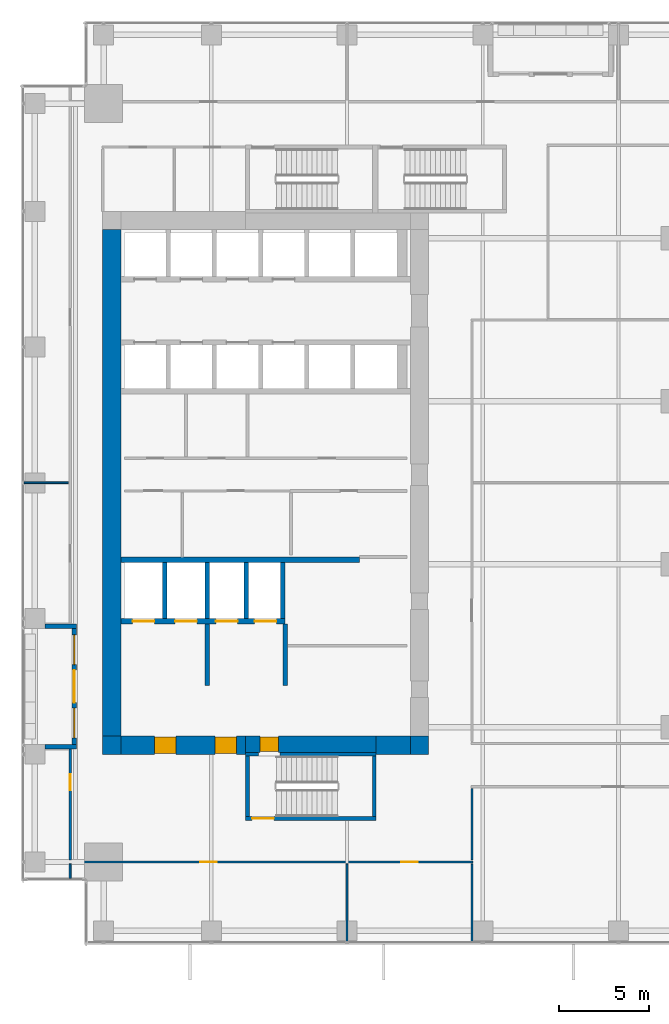
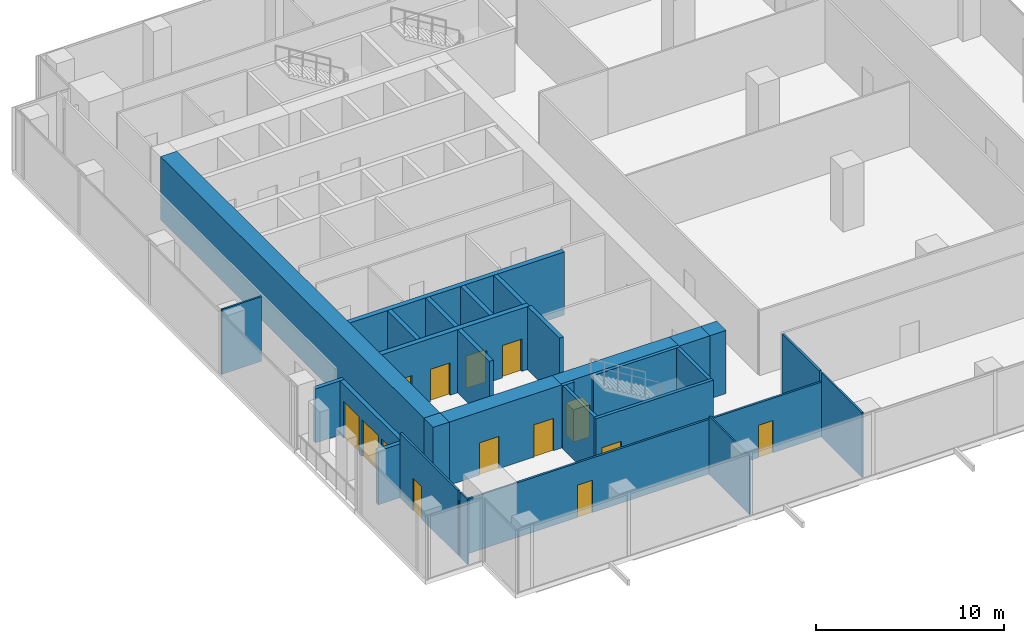
# One storey, part 28 of 34: 29 walls, 12 doors, 2 windows, 14 openings.
"""IFC4 building model written with IfcOpenShell, lengths in metres."""

from ifc_helpers import new_model, si_unit, direction, frame, frame_2d, origin, place, context, subcontext, project, spatial, rectangle, extrude, source, transform, mapped, material, layer, layer_set, type_object, element, fill, save


model = new_model("IFC4")

# Units and contexts
model_context = context("Model", 3, precision=1e-05, world=origin(), true_north=direction((0.0, 1.0)))
body_context = subcontext(model_context, "Body", "Model", "MODEL_VIEW")
ifc_project = project(units=[si_unit("LENGTHUNIT", "METRE"), si_unit("AREAUNIT", "SQUARE_METRE"), si_unit("VOLUMEUNIT", "CUBIC_METRE"), si_unit("PLANEANGLEUNIT", "RADIAN"), si_unit("MASSUNIT", "GRAM", prefix="KILO")], contexts=[model_context])

# Site, building, storey
site_placement = place(None, origin())
site = spatial("IfcSite", under=ifc_project, at=site_placement, CompositionType="ELEMENT")
building_placement = place(site_placement, origin())
building = spatial("IfcBuilding", under=site, at=building_placement, Name="Khomas Fold Tower", CompositionType="ELEMENT")
storey_placement = place(building_placement, frame((0.0, 0.0, 123.5)))
storey = spatial("IfcBuildingStorey", under=building, at=storey_placement, Name="L26", CompositionType="ELEMENT", Elevation=123.5)

# Wall, openings, doors
ifc_material_1 = material(Name="Concrete C70/85", Category="concrete")
ifc_layer_1 = layer(ifc_material_1, 1.0)
ifc_layer_set_1 = layer_set([ifc_layer_1], Name="Concrete C70/85")
wall_type_1 = type_object("IfcWallType", Name="Core wall 1000", PredefinedType="SHEAR", material=ifc_layer_set_1)
shared_shape_1 = source(origin(), body_context, "Body", "SweptSolid", [
    extrude(rectangle(XDim=6.89990234375, YDim=1.0, at=frame_2d((3.449951171875, 0.0))), origin(), (0.0, 0.0, 1.0), 4.10009765625),
])
wall_1_placement = place(storey_placement, frame((7.0, 12.5, 0.0), z_axis=(0.0, 0.0, 1.0), x_axis=(1.0, 0.0, 0.0)))
wall_1 = element("IfcWall", 1, at=wall_1_placement, inside=storey, type_object=wall_type_1, Name="Core wall CW-L-S-L21", PredefinedType="SHEAR", context=body_context, shape_type="MappedRepresentation", body=[
    mapped(shared_shape_1, transform((0.0, 0.0, 0.0))),
])
shared_shape_2 = source(origin(), body_context, "Body", "SweptSolid", [
    extrude(rectangle(XDim=1.199951171875, YDim=2.10009765625, at=frame_2d((0.60009765625, 1.050048828125))), frame((0.0, 0.510009765625, 0.0), z_axis=(0.0, -1.0, 0.0), x_axis=(1.0, 0.0, 0.0)), (0.0, 0.0, 1.0), 1.02001953125),
])
opening_1_placement = place(wall_1_placement, frame((5.199951171875, 0.0, 0.0)))
opening_1 = element("IfcOpeningElement", 2, at=opening_1_placement, cuts=wall_1, Name="Opening 0009", PredefinedType="OPENING", context=body_context, shape_type="MappedRepresentation", body=[
    mapped(shared_shape_2, transform((0.0, 0.0, 0.0))),
])
opening_2_placement = place(wall_1_placement, frame((1.85009765625, 0.0, 0.0)))
opening_2 = element("IfcOpeningElement", 3, at=opening_2_placement, cuts=wall_1, Name="Opening 0009", PredefinedType="OPENING", context=body_context, shape_type="MappedRepresentation", body=[
    mapped(shared_shape_2, transform((0.0, 0.0, 0.0))),
])
ifc_material_2 = material(Name="Steel door leaf", Category="steel")
door_type_1 = type_object("IfcDoorType", Name="Lobby door 1200x2100 right-hand", OperationType="SINGLE_SWING_RIGHT", PredefinedType="DOOR", material=ifc_material_2)
shared_shape_3 = source(origin(), body_context, "Body", "SweptSolid", [
    extrude(rectangle(XDim=1.199951171875, YDim=2.10009765625, at=frame_2d((0.60009765625, 1.050048828125))), frame((0.0, 0.449951171875, 0.0), z_axis=(0.0, -1.0, 0.0), x_axis=(1.0, 0.0, 0.0)), (0.0, 0.0, 1.0), 0.89990234375),
])
door_1_placement = place(opening_1_placement, origin())
door_1 = element("IfcDoor", 4, at=door_1_placement, inside=storey, type_object=door_type_1, Name="Lobby door", OperationType="SINGLE_SWING_RIGHT", OverallHeight=2.10009765625, OverallWidth=1.199951171875, PredefinedType="DOOR", context=body_context, shape_type="MappedRepresentation", body=[
    mapped(shared_shape_3, transform((0.0, 0.0, 0.0))),
])
fill(opening_1, door_1)
door_2_placement = place(opening_2_placement, origin())
door_2 = element("IfcDoor", 5, at=door_2_placement, inside=storey, type_object=door_type_1, Name="Lobby door", OperationType="SINGLE_SWING_RIGHT", OverallHeight=2.10009765625, OverallWidth=1.199951171875, PredefinedType="DOOR", context=body_context, shape_type="MappedRepresentation", body=[
    mapped(shared_shape_3, transform((0.0, 0.0, 0.0))),
])
fill(opening_2, door_2)

# Walls
ifc_material_3 = material(Name="Concrete C70/85", Category="concrete")
ifc_layer_2 = layer(ifc_material_3, 1.0)
ifc_layer_set_2 = layer_set([ifc_layer_2], Name="Concrete C70/85")
wall_type_2 = type_object("IfcWallType", Name="Core corner wall 1000", PredefinedType="SHEAR", material=ifc_layer_set_2)
shared_shape_4 = source(origin(), body_context, "Body", "SweptSolid", [
    extrude(rectangle(XDim=1.0, YDim=1.0, at=frame_2d((0.5, 0.0))), origin(), (0.0, 0.0, 1.0), 4.10009765625),
])
for number, where, z_axis, x_axis, name in (
    (6, (23.0, 12.5, 0.0), (0.0, 0.0, 1.0), (1.0, 0.0, 0.0), "Core wall CW-L-SE-L21"),
    (7, (6.0, 12.5, 0.0), (0.0, 0.0, 1.0), (1.0, 0.0, 0.0), "Core wall CW-L-SW-L21"),
):
    element("IfcWall", number, at=place(storey_placement, frame(where, z_axis=z_axis, x_axis=x_axis)), inside=storey, type_object=wall_type_2, Name=name, PredefinedType="SHEAR", context=body_context, shape_type="MappedRepresentation", body=[
        mapped(shared_shape_4, transform((0.0, 0.0, 0.0))),
    ])

# Wall, opening, door
ifc_material_4 = material(Name="Concrete C70/85", Category="concrete")
ifc_layer_3 = layer(ifc_material_4, 0.89990234375)
ifc_layer_set_3 = layer_set([ifc_layer_3], Name="Concrete C70/85")
wall_type_3 = type_object("IfcWallType", Name="Core wall 900", PredefinedType="SHEAR", material=ifc_layer_set_3)
shared_shape_5 = source(origin(), body_context, "Body", "SweptSolid", [
    extrude(rectangle(XDim=7.2001953125, YDim=0.89990234375, at=frame_2d((3.60009765625, 0.0))), origin(), (0.0, 0.0, 1.0), 4.10009765625),
])
wall_2_placement = place(storey_placement, frame((13.89990234375, 12.550048828125, 0.0), z_axis=(0.0, 0.0, 1.0), x_axis=(1.0, 0.0, 0.0)))
wall_2 = element("IfcWall", 8, at=wall_2_placement, inside=storey, type_object=wall_type_3, Name="Core wall CW-L-S-L21-1", PredefinedType="SHEAR", context=body_context, shape_type="MappedRepresentation", body=[
    mapped(shared_shape_5, transform((0.0, 0.0, 0.0))),
])
shared_shape_6 = source(origin(), body_context, "Body", "SweptSolid", [
    extrude(rectangle(XDim=1.0, YDim=2.10009765625, at=frame_2d((0.5, 1.050048828125))), frame((0.0, 0.4599609375, 0.0), z_axis=(0.0, -1.0, 0.0), x_axis=(1.0, 0.0, 0.0)), (0.0, 0.0, 1.0), 0.919921875),
])
opening_3_placement = place(wall_2_placement, frame((0.800048828125, 0.0, 0.0)))
opening_3 = element("IfcOpeningElement", 9, at=opening_3_placement, cuts=wall_2, Name="Opening 0010", PredefinedType="OPENING", context=body_context, shape_type="MappedRepresentation", body=[
    mapped(shared_shape_6, transform((0.0, 0.0, 0.0))),
])
ifc_material_5 = material(Name="Steel door leaf", Category="steel")
door_type_2 = type_object("IfcDoorType", Name="Stair door 1000x2100 right-hand", OperationType="SINGLE_SWING_RIGHT", PredefinedType="DOOR", material=ifc_material_5)
shared_shape_7 = source(origin(), body_context, "Body", "SweptSolid", [
    extrude(rectangle(XDim=1.0, YDim=2.10009765625, at=frame_2d((0.5, 1.050048828125))), frame((0.0, 0.39990234375, 0.0), z_axis=(0.0, -1.0, 0.0), x_axis=(1.0, 0.0, 0.0)), (0.0, 0.0, 1.0), 0.7998046875),
])
door_3_placement = place(opening_3_placement, origin())
door_3 = element("IfcDoor", 10, at=door_3_placement, inside=storey, type_object=door_type_2, Name="Stair door", OperationType="SINGLE_SWING_RIGHT", OverallHeight=2.10009765625, OverallWidth=1.0, PredefinedType="DOOR", context=body_context, shape_type="MappedRepresentation", body=[
    mapped(shared_shape_7, transform((0.0, 0.0, 0.0))),
])
fill(opening_3, door_3)

# Walls
shared_shape_8 = source(origin(), body_context, "Body", "SweptSolid", [
    extrude(rectangle(XDim=1.89990234375, YDim=1.0, at=frame_2d((0.949951171875, 0.0))), origin(), (0.0, 0.0, 1.0), 4.10009765625),
])
wall_3_placement = place(storey_placement, frame((21.10009765625, 12.5, 0.0), z_axis=(0.0, 0.0, 1.0), x_axis=(1.0, 0.0, 0.0)))
element("IfcWall", 11, at=wall_3_placement, inside=storey, type_object=wall_type_1, Name="Core wall CW-L-S-L21-2", PredefinedType="SHEAR", context=body_context, shape_type="MappedRepresentation", body=[
    mapped(shared_shape_8, transform((0.0, 0.0, 0.0))),
])
shared_shape_9 = source(origin(), body_context, "Body", "SweptSolid", [
    extrude(rectangle(XDim=28.0, YDim=1.0, at=frame_2d((14.0, 0.0))), origin(), (0.0, 0.0, 1.0), 4.10009765625),
])
wall_4_placement = place(storey_placement, frame((6.5, 13.0, 0.0), z_axis=(0.0, 0.0, 1.0), x_axis=(0.0, 1.0, 0.0)))
element("IfcWall", 12, at=wall_4_placement, inside=storey, type_object=wall_type_1, Name="Core wall CW-L-W-L21", PredefinedType="SHEAR", context=body_context, shape_type="MappedRepresentation", body=[
    mapped(shared_shape_9, transform((0.0, 0.0, 0.0))),
])
ifc_material_6 = material(Name="Concrete C50/60", Category="concrete")
ifc_layer_4 = layer(ifc_material_6, 0.199951171875)
ifc_layer_set_4 = layer_set([ifc_layer_4], Name="Concrete C50/60")
wall_type_4 = type_object("IfcWallType", Name="Stair wall 200", PredefinedType="SHEAR", material=ifc_layer_set_4)
shared_shape_10 = source(origin(), body_context, "Body", "SweptSolid", [
    extrude(rectangle(XDim=0.7001953125, YDim=0.199951171875, at=frame_2d((0.35009765625, 0.0))), origin(), (0.0, 0.0, 1.0), 4.10009765625),
])
wall_5_placement = place(storey_placement, frame((13.89990234375, 12.0, 0.0), z_axis=(0.0, 0.0, 1.0), x_axis=(1.0, 0.0, 0.0)))
element("IfcWall", 13, at=wall_5_placement, inside=storey, type_object=wall_type_4, Name="Stair wall SW-ST2-N", PredefinedType="SHEAR", context=body_context, shape_type="MappedRepresentation", body=[
    mapped(shared_shape_10, transform((0.0, 0.0, 0.0))),
])
shared_shape_11 = source(origin(), body_context, "Body", "SweptSolid", [
    extrude(rectangle(XDim=5.300048828125, YDim=0.199951171875, at=frame_2d((2.64990234375, 0.0))), origin(), (0.0, 0.0, 1.0), 4.10009765625),
])
wall_6_placement = place(storey_placement, frame((15.800048828125, 12.0, 0.0), z_axis=(0.0, 0.0, 1.0), x_axis=(1.0, 0.0, 0.0)))
element("IfcWall", 14, at=wall_6_placement, inside=storey, type_object=wall_type_4, Name="Stair wall SW-ST2-NB", PredefinedType="SHEAR", context=body_context, shape_type="MappedRepresentation", body=[
    mapped(shared_shape_11, transform((0.0, 0.0, 0.0))),
])

# Wall, opening, door
shared_shape_12 = source(origin(), body_context, "Body", "SweptSolid", [
    extrude(rectangle(XDim=7.2001953125, YDim=0.199951171875, at=frame_2d((3.60009765625, 0.0))), origin(), (0.0, 0.0, 1.0), 4.10009765625),
])
wall_7_placement = place(storey_placement, frame((13.89990234375, 8.449951171875, 0.0), z_axis=(0.0, 0.0, 1.0), x_axis=(1.0, 0.0, 0.0)))
wall_7 = element("IfcWall", 15, at=wall_7_placement, inside=storey, type_object=wall_type_4, Name="Stair wall SW-ST2-S", PredefinedType="SHEAR", context=body_context, shape_type="MappedRepresentation", body=[
    mapped(shared_shape_12, transform((0.0, 0.0, 0.0))),
])
shared_shape_13 = source(origin(), body_context, "Body", "SweptSolid", [
    extrude(rectangle(XDim=1.199951171875, YDim=2.10009765625, at=frame_2d((0.60009765625, 1.050048828125))), frame((0.0, 0.10986328125, 0.0), z_axis=(0.0, -1.0, 0.0), x_axis=(1.0, 0.0, 0.0)), (0.0, 0.0, 1.0), 0.219970703125),
])
opening_4_placement = place(wall_7_placement, frame((0.35009765625, 0.0, 0.0)))
opening_4 = element("IfcOpeningElement", 16, at=opening_4_placement, cuts=wall_7, Name="Opening SD-ST2", PredefinedType="OPENING", context=body_context, shape_type="MappedRepresentation", body=[
    mapped(shared_shape_13, transform((0.0, 0.0, 0.0))),
])
ifc_material_7 = material(Name="Steel door leaf", Category="steel")
door_type_3 = type_object("IfcDoorType", Name="Stair door 1200x2100 right-hand", OperationType="SINGLE_SWING_RIGHT", PredefinedType="DOOR", material=ifc_material_7)
shared_shape_14 = source(origin(), body_context, "Body", "SweptSolid", [
    extrude(rectangle(XDim=1.199951171875, YDim=2.10009765625, at=frame_2d((0.60009765625, 1.050048828125))), frame((0.0, 0.02490234375, 0.0), z_axis=(0.0, -1.0, 0.0), x_axis=(1.0, 0.0, 0.0)), (0.0, 0.0, 1.0), 0.050048828125),
])
door_4_placement = place(opening_4_placement, origin())
door_4 = element("IfcDoor", 17, at=door_4_placement, inside=storey, type_object=door_type_3, Name="Stair door", OperationType="SINGLE_SWING_RIGHT", OverallHeight=2.10009765625, OverallWidth=1.199951171875, PredefinedType="DOOR", context=body_context, shape_type="MappedRepresentation", body=[
    mapped(shared_shape_14, transform((0.0, 0.0, 0.0))),
])
fill(opening_4, door_4)

# Walls
shared_shape_15 = source(origin(), body_context, "Body", "SweptSolid", [
    extrude(rectangle(XDim=3.349853515625, YDim=0.199951171875, at=frame_2d((1.6748046875, 0.0))), origin(), (0.0, 0.0, 1.0), 4.10009765625),
])
for number, where, z_axis, x_axis, name in (
    (18, (21.0, 8.550048828125, 0.0), (0.0, 0.0, 1.0), (0.0, 1.0, 0.0), "Stair wall SW-ST2-E"),
    (19, (14.0, 8.550048828125, 0.0), (0.0, 0.0, 1.0), (0.0, 1.0, 0.0), "Stair wall SW-ST2-W"),
):
    element("IfcWall", number, at=place(storey_placement, frame(where, z_axis=z_axis, x_axis=x_axis)), inside=storey, type_object=wall_type_4, Name=name, PredefinedType="SHEAR", context=body_context, shape_type="MappedRepresentation", body=[
        mapped(shared_shape_15, transform((0.0, 0.0, 0.0))),
    ])
ifc_material_8 = material(Name="Concrete C50/60", Category="concrete")
ifc_layer_5 = layer(ifc_material_8, 0.300048828125)
ifc_layer_set_5 = layer_set([ifc_layer_5], Name="Concrete C50/60")
wall_type_5 = type_object("IfcWallType", Name="Shaft wall 300", PredefinedType="STANDARD", material=ifc_layer_set_5)
shared_shape_16 = source(origin(), body_context, "Body", "SweptSolid", [
    extrude(rectangle(XDim=13.199951171875, YDim=0.300048828125, at=frame_2d((6.60009765625, 0.0))), origin(), (0.0, 0.0, 1.0), 4.10009765625),
])
wall_8_placement = place(storey_placement, frame((7.0, 22.75, 0.0), z_axis=(0.0, 0.0, 1.0), x_axis=(1.0, 0.0, 0.0)))
element("IfcWall", 20, at=wall_8_placement, inside=storey, type_object=wall_type_5, Name="Core wall SW-FS-B", PredefinedType="STANDARD", context=body_context, shape_type="MappedRepresentation", body=[
    mapped(shared_shape_16, transform((0.0, 0.0, 0.0))),
])

# Wall, openings, doors
shared_shape_17 = source(origin(), body_context, "Body", "SweptSolid", [
    extrude(rectangle(XDim=9.074951171875, YDim=0.300048828125, at=frame_2d((4.53759765625, 0.0))), origin(), (0.0, 0.0, 1.0), 4.10009765625),
])
wall_9_placement = place(storey_placement, frame((7.0, 19.35009765625, 0.0), z_axis=(0.0, 0.0, 1.0), x_axis=(1.0, 0.0, 0.0)))
wall_9 = element("IfcWall", 21, at=wall_9_placement, inside=storey, type_object=wall_type_5, Name="Core wall SW-FS-F", PredefinedType="STANDARD", context=body_context, shape_type="MappedRepresentation", body=[
    mapped(shared_shape_17, transform((0.0, 0.0, 0.0))),
])
shared_shape_18 = source(origin(), body_context, "Body", "SweptSolid", [
    extrude(rectangle(XDim=1.199951171875, YDim=2.10009765625, at=frame_2d((0.60009765625, 1.050048828125))), frame((0.0, 0.159912109375, 0.0), z_axis=(0.0, -1.0, 0.0), x_axis=(1.0, 0.0, 0.0)), (0.0, 0.0, 1.0), 0.320068359375),
])
opening_5_placement = place(wall_9_placement, frame((0.64990234375, 0.0, 0.0)))
opening_5 = element("IfcOpeningElement", 22, at=opening_5_placement, cuts=wall_9, Name="Opening LD-SV1", PredefinedType="OPENING", context=body_context, shape_type="MappedRepresentation", body=[
    mapped(shared_shape_18, transform((0.0, 0.0, 0.0))),
])
opening_6_placement = place(wall_9_placement, frame((3.0, 0.0, 0.0)))
opening_6 = element("IfcOpeningElement", 23, at=opening_6_placement, cuts=wall_9, Name="Opening LD-SV2", PredefinedType="OPENING", context=body_context, shape_type="MappedRepresentation", body=[
    mapped(shared_shape_18, transform((0.0, 0.0, 0.0))),
])
opening_7_placement = place(wall_9_placement, frame((5.25, 0.0, 0.0)))
opening_7 = element("IfcOpeningElement", 24, at=opening_7_placement, cuts=wall_9, Name="Opening LD-FF1", PredefinedType="OPENING", context=body_context, shape_type="MappedRepresentation", body=[
    mapped(shared_shape_18, transform((0.0, 0.0, 0.0))),
])
opening_8_placement = place(wall_9_placement, frame((7.39990234375, 0.0, 0.0)))
opening_8 = element("IfcOpeningElement", 25, at=opening_8_placement, cuts=wall_9, Name="Opening LD-FF2", PredefinedType="OPENING", context=body_context, shape_type="MappedRepresentation", body=[
    mapped(shared_shape_18, transform((0.0, 0.0, 0.0))),
])
ifc_material_9 = material(Name="Steel door leaf", Category="steel")
door_type_4 = type_object("IfcDoorType", Name="Landing door 1200x2100", OperationType="DOUBLE_DOOR_SLIDING", PredefinedType="DOOR", material=ifc_material_9)
door_5_placement = place(opening_5_placement, origin())
door_5 = element("IfcDoor", 26, at=door_5_placement, inside=storey, type_object=door_type_4, Name="Lift landing door", OperationType="DOUBLE_DOOR_SLIDING", OverallHeight=2.10009765625, OverallWidth=1.199951171875, PredefinedType="DOOR", context=body_context, shape_type="MappedRepresentation", body=[
    mapped(shared_shape_14, transform((0.0, 0.0, 0.0))),
])
fill(opening_5, door_5)
door_6_placement = place(opening_6_placement, origin())
door_6 = element("IfcDoor", 27, at=door_6_placement, inside=storey, type_object=door_type_4, Name="Lift landing door", OperationType="DOUBLE_DOOR_SLIDING", OverallHeight=2.10009765625, OverallWidth=1.199951171875, PredefinedType="DOOR", context=body_context, shape_type="MappedRepresentation", body=[
    mapped(shared_shape_14, transform((0.0, 0.0, 0.0))),
])
fill(opening_6, door_6)
door_7_placement = place(opening_7_placement, origin())
door_7 = element("IfcDoor", 28, at=door_7_placement, inside=storey, type_object=door_type_4, Name="Lift landing door", OperationType="DOUBLE_DOOR_SLIDING", OverallHeight=2.10009765625, OverallWidth=1.199951171875, PredefinedType="DOOR", context=body_context, shape_type="MappedRepresentation", body=[
    mapped(shared_shape_14, transform((0.0, 0.0, 0.0))),
])
fill(opening_7, door_7)
door_8_placement = place(opening_8_placement, origin())
door_8 = element("IfcDoor", 29, at=door_8_placement, inside=storey, type_object=door_type_4, Name="Lift landing door", OperationType="DOUBLE_DOOR_SLIDING", OverallHeight=2.10009765625, OverallWidth=1.199951171875, PredefinedType="DOOR", context=body_context, shape_type="MappedRepresentation", body=[
    mapped(shared_shape_14, transform((0.0, 0.0, 0.0))),
])
fill(opening_8, door_8)

# Walls
ifc_material_10 = material(Name="Concrete C50/60", Category="concrete")
ifc_layer_6 = layer(ifc_material_10, 0.25)
ifc_layer_set_6 = layer_set([ifc_layer_6], Name="Concrete C50/60")
wall_type_6 = type_object("IfcWallType", Name="Shaft wall 250", PredefinedType="STANDARD", material=ifc_layer_set_6)
shared_shape_19 = source(origin(), body_context, "Body", "SweptSolid", [
    extrude(rectangle(XDim=3.10009765625, YDim=0.25, at=frame_2d((1.550048828125, 0.0))), origin(), (0.0, 0.0, 1.0), 4.10009765625),
])
for number, where, z_axis, x_axis, name in (
    (30, (9.425048828125, 19.5, 0.0), (0.0, 0.0, 1.0), (0.0, 1.0, 0.0), "Core wall SW-FS-P1"),
    (31, (11.77490234375, 19.5, 0.0), (0.0, 0.0, 1.0), (0.0, 1.0, 0.0), "Core wall SW-FS-P2"),
    (32, (13.925048828125, 19.5, 0.0), (0.0, 0.0, 1.0), (0.0, 1.0, 0.0), "Core wall SW-FS-P3"),
    (33, (15.949951171875, 19.5, 0.0), (0.0, 0.0, 1.0), (0.0, 1.0, 0.0), "Core wall SW-FS-PE"),
):
    element("IfcWall", number, at=place(storey_placement, frame(where, z_axis=z_axis, x_axis=x_axis)), inside=storey, type_object=wall_type_6, Name=name, PredefinedType="STANDARD", context=body_context, shape_type="MappedRepresentation", body=[
        mapped(shared_shape_19, transform((0.0, 0.0, 0.0))),
    ])
ifc_material_11 = material(Name="Concrete C50/60", Category="concrete")
ifc_layer_7 = layer(ifc_material_11, 0.25)
ifc_layer_set_7 = layer_set([ifc_layer_7], Name="Concrete C50/60")
wall_type_7 = type_object("IfcWallType", Name="Lobby wall 250", PredefinedType="STANDARD", material=ifc_layer_set_7)
shared_shape_20 = source(origin(), body_context, "Body", "SweptSolid", [
    extrude(rectangle(XDim=3.39990234375, YDim=0.25, at=frame_2d((1.699951171875, 0.0))), origin(), (0.0, 0.0, 1.0), 4.10009765625),
])
for number, where, z_axis, x_axis, name in (
    (34, (16.074951171875, 15.800048828125, 0.0), (0.0, 0.0, 1.0), (0.0, 1.0, 0.0), "Core wall SW-FS-LOB-E"),
    (35, (11.77490234375, 15.800048828125, 0.0), (0.0, 0.0, 1.0), (0.0, 1.0, 0.0), "Core wall SW-FS-SEP"),
):
    element("IfcWall", number, at=place(storey_placement, frame(where, z_axis=z_axis, x_axis=x_axis)), inside=storey, type_object=wall_type_7, Name=name, PredefinedType="STANDARD", context=body_context, shape_type="MappedRepresentation", body=[
        mapped(shared_shape_20, transform((0.0, 0.0, 0.0))),
    ])

# Wall, openings, door, windows
ifc_material_12 = material(Name="Natural stone", Category="masonry")
ifc_layer_8 = layer(ifc_material_12, 0.0400390625)
ifc_material_13 = material(Name="Mineral wool insulation", Category="insulation")
ifc_layer_9 = layer(ifc_material_13, 0.10009765625)
ifc_material_14 = material(Name="Masonry", Category="masonry")
ifc_layer_10 = layer(ifc_material_14, 0.110107421875)
ifc_layer_set_8 = layer_set([ifc_layer_8, ifc_layer_9, ifc_layer_10], Name="Stone-faced insulated masonry")
wall_type_8 = type_object("IfcWallType", Name="BL-Balcony wall", PredefinedType="SOLIDWALL", material=ifc_layer_set_8)
shared_shape_21 = source(origin(), body_context, "Body", "SweptSolid", [
    extrude(rectangle(XDim=6.39990234375, YDim=0.25, at=frame_2d((3.199951171875, 0.0))), origin(), (0.0, 0.0, 1.0), 3.5),
])
wall_10_placement = place(storey_placement, frame((4.425048828125, 12.550048828125, 0.0), z_axis=(0.0, 0.0, 1.0), x_axis=(0.0, 1.0, 0.0)))
wall_10 = element("IfcWall", 36, at=wall_10_placement, inside=storey, type_object=wall_type_8, Name="Balcony wall BAL-L26-W1", PredefinedType="SOLIDWALL", context=body_context, shape_type="MappedRepresentation", body=[
    mapped(shared_shape_21, transform((0.0, 0.0, 0.0))),
])
shared_shape_22 = source(origin(), body_context, "Body", "SweptSolid", [
    extrude(rectangle(XDim=1.64990234375, YDim=2.39990234375, at=frame_2d((0.824951171875, 1.199951171875))), frame((0.0, 0.135009765625, 0.0), z_axis=(0.0, -1.0, 0.0), x_axis=(1.0, 0.0, 0.0)), (0.0, 0.0, 1.0), 0.27001953125),
])
opening_9_placement = place(wall_10_placement, frame((0.35009765625, 0.0, 0.0)))
opening_9 = element("IfcOpeningElement", 37, at=opening_9_placement, cuts=wall_10, Name="Opening BL-W2", PredefinedType="OPENING", context=body_context, shape_type="MappedRepresentation", body=[
    mapped(shared_shape_22, transform((0.0, 0.0, 0.0))),
])
opening_10_placement = place(wall_10_placement, frame((4.39990234375, 0.0, 0.0)))
opening_10 = element("IfcOpeningElement", 38, at=opening_10_placement, cuts=wall_10, Name="Opening BL-W2", PredefinedType="OPENING", context=body_context, shape_type="MappedRepresentation", body=[
    mapped(shared_shape_22, transform((0.0, 0.0, 0.0))),
])
shared_shape_23 = source(origin(), body_context, "Body", "SweptSolid", [
    extrude(rectangle(XDim=1.800048828125, YDim=2.39990234375, at=frame_2d((0.89990234375, 1.199951171875))), frame((0.0, 0.135009765625, 0.0), z_axis=(0.0, -1.0, 0.0), x_axis=(1.0, 0.0, 0.0)), (0.0, 0.0, 1.0), 0.27001953125),
])
opening_11_placement = place(wall_10_placement, frame((2.300048828125, 0.0, 0.0)))
opening_11 = element("IfcOpeningElement", 39, at=opening_11_placement, cuts=wall_10, Name="Opening BD262", PredefinedType="OPENING", context=body_context, shape_type="MappedRepresentation", body=[
    mapped(shared_shape_23, transform((0.0, 0.0, 0.0))),
])
ifc_material_15 = material(Name="Aluminium framed double glazing", Category="aluminium")
door_type_5 = type_object("IfcDoorType", Name="BL-Glazed balcony door 1800 x 2400", OperationType="DOUBLE_DOOR_DOUBLE_SWING", PredefinedType="DOOR", material=ifc_material_15)
shared_shape_24 = source(origin(), body_context, "Body", "SweptSolid", [
    extrude(rectangle(XDim=1.800048828125, YDim=2.39990234375, at=frame_2d((0.89990234375, 1.199951171875))), frame((0.0, 0.02490234375, 0.0), z_axis=(0.0, -1.0, 0.0), x_axis=(1.0, 0.0, 0.0)), (0.0, 0.0, 1.0), 0.050048828125),
])
door_9_placement = place(opening_11_placement, origin())
door_9 = element("IfcDoor", 40, at=door_9_placement, inside=storey, type_object=door_type_5, Name="Balcony door BD262", OperationType="DOUBLE_DOOR_DOUBLE_SWING", OverallHeight=2.39990234375, OverallWidth=1.800048828125, PredefinedType="DOOR", context=body_context, shape_type="MappedRepresentation", body=[
    mapped(shared_shape_24, transform((0.0, 0.0, 0.0))),
])
fill(opening_11, door_9)
ifc_material_16 = material(Name="Aluminium framed double glazing", Category="aluminium")
window_type = type_object("IfcWindowType", Name="BL-Fixed glazing 1650 x 2400", PartitioningType="SINGLE_PANEL", PredefinedType="WINDOW", material=ifc_material_16)
shared_shape_25 = source(origin(), body_context, "Body", "SweptSolid", [
    extrude(rectangle(XDim=1.64990234375, YDim=2.39990234375, at=frame_2d((0.824951171875, 1.199951171875))), frame((0.0, 0.030029296875, 0.0), z_axis=(0.0, -1.0, 0.0), x_axis=(1.0, 0.0, 0.0)), (0.0, 0.0, 1.0), 0.06005859375),
])
window_1_placement = place(opening_9_placement, origin())
window_1 = element("IfcWindow", 41, at=window_1_placement, inside=storey, type_object=window_type, Name="Balcony glazing BAL-L26-W1-1", OverallHeight=2.39990234375, OverallWidth=1.64990234375, PartitioningType="SINGLE_PANEL", PredefinedType="WINDOW", context=body_context, shape_type="MappedRepresentation", body=[
    mapped(shared_shape_25, transform((0.0, 0.0, 0.0))),
])
fill(opening_9, window_1)
window_2_placement = place(opening_10_placement, origin())
window_2 = element("IfcWindow", 42, at=window_2_placement, inside=storey, type_object=window_type, Name="Balcony glazing BAL-L26-W1-2", OverallHeight=2.39990234375, OverallWidth=1.64990234375, PartitioningType="SINGLE_PANEL", PredefinedType="WINDOW", context=body_context, shape_type="MappedRepresentation", body=[
    mapped(shared_shape_25, transform((0.0, 0.0, 0.0))),
])
fill(opening_10, window_2)

# Walls
shared_shape_26 = source(origin(), body_context, "Body", "SweptSolid", [
    extrude(rectangle(XDim=1.75, YDim=0.25, at=frame_2d((0.875, 0.0))), origin(), (0.0, 0.0, 1.0), 3.5),
])
for number, where, z_axis, x_axis, name in (
    (43, (2.800048828125, 12.425048828125, 0.0), (0.0, 0.0, 1.0), (1.0, 0.0, 0.0), "Balcony return wall BAL-L26-W1-lo"),
    (44, (2.800048828125, 19.074951171875, 0.0), (0.0, 0.0, 1.0), (1.0, 0.0, 0.0), "Balcony return wall BAL-L26-W1-hi"),
):
    element("IfcWall", number, at=place(storey_placement, frame(where, z_axis=z_axis, x_axis=x_axis)), inside=storey, type_object=wall_type_8, Name=name, PredefinedType="SOLIDWALL", context=body_context, shape_type="MappedRepresentation", body=[
        mapped(shared_shape_26, transform((0.0, 0.0, 0.0))),
    ])
ifc_material_17 = material(Name="Plasterboard partition")
ifc_layer_11 = layer(ifc_material_17, 0.10009765625)
ifc_layer_set_9 = layer_set([ifc_layer_11], Name="Plasterboard partition")
wall_type_9 = type_object("IfcWallType", Name="Partition PW1 100", PredefinedType="PARTITIONING", material=ifc_layer_set_9)
shared_shape_27 = source(origin(), body_context, "Body", "SweptSolid", [
    extrude(rectangle(XDim=4.300048828125, YDim=0.10009765625, at=frame_2d((2.14990234375, 0.0))), origin(), (0.0, 0.0, 1.0), 3.77001953125),
])
wall_11_placement = place(storey_placement, frame((19.5, 1.64990234375, 0.0), z_axis=(0.0, 0.0, 1.0), x_axis=(0.0, 1.0, 0.0)))
element("IfcWall", 45, at=wall_11_placement, inside=storey, type_object=wall_type_9, Name="Partition", PredefinedType="PARTITIONING", context=body_context, shape_type="MappedRepresentation", body=[
    mapped(shared_shape_27, transform((0.0, 0.0, 0.0))),
])
shared_shape_28 = source(origin(), body_context, "Body", "SweptSolid", [
    extrude(rectangle(XDim=4.300048828125, YDim=0.10009765625, at=frame_2d((2.14990234375, 0.0))), origin(), (0.0, 0.0, 1.0), 4.199951171875),
])
wall_12_placement = place(storey_placement, frame((26.39990234375, 1.64990234375, 0.0), z_axis=(0.0, 0.0, 1.0), x_axis=(0.0, 1.0, 0.0)))
element("IfcWall", 46, at=wall_12_placement, inside=storey, type_object=wall_type_9, Name="Partition", PredefinedType="PARTITIONING", context=body_context, shape_type="MappedRepresentation", body=[
    mapped(shared_shape_28, transform((0.0, 0.0, 0.0))),
])
shared_shape_29 = source(origin(), body_context, "Body", "SweptSolid", [
    extrude(rectangle(XDim=0.800048828125, YDim=0.10009765625, at=frame_2d((0.39990234375, 0.0))), origin(), (0.0, 0.0, 1.0), 4.199951171875),
])
wall_13_placement = place(storey_placement, frame((4.199951171875, 5.14990234375, 0.0), z_axis=(0.0, 0.0, 1.0), x_axis=(0.0, 1.0, 0.0)))
element("IfcWall", 47, at=wall_13_placement, inside=storey, type_object=wall_type_9, Name="Partition", PredefinedType="PARTITIONING", context=body_context, shape_type="MappedRepresentation", body=[
    mapped(shared_shape_29, transform((0.0, 0.0, 0.0))),
])

# Wall, openings, doors
ifc_material_18 = material(Name="Plasterboard partition")
ifc_layer_12 = layer(ifc_material_18, 0.125)
ifc_layer_set_10 = layer_set([ifc_layer_12], Name="Plasterboard partition")
wall_type_10 = type_object("IfcWallType", Name="Partition PW2 125", PredefinedType="PARTITIONING", material=ifc_layer_set_10)
shared_shape_30 = source(origin(), body_context, "Body", "SweptSolid", [
    extrude(rectangle(XDim=22.300048828125, YDim=0.125, at=frame_2d((11.14990234375, 0.0))), origin(), (0.0, 0.0, 1.0), 3.550048828125),
])
wall_14_placement = place(storey_placement, frame((4.14990234375, 6.050048828125, 0.0), z_axis=(0.0, 0.0, 1.0), x_axis=(1.0, 0.0, 0.0)))
wall_14 = element("IfcWall", 48, at=wall_14_placement, inside=storey, type_object=wall_type_10, Name="Partition", PredefinedType="PARTITIONING", context=body_context, shape_type="MappedRepresentation", body=[
    mapped(shared_shape_30, transform((0.0, 0.0, 0.0))),
])
shared_shape_31 = source(origin(), body_context, "Body", "SweptSolid", [
    extrude(rectangle(XDim=0.89990234375, YDim=2.10009765625, at=frame_2d((0.449951171875, 1.050048828125))), frame((0.0, 0.072509765625, 0.0), z_axis=(0.0, -1.0, 0.0), x_axis=(1.0, 0.0, 0.0)), (0.0, 0.0, 1.0), 0.14501953125),
])
opening_12_placement = place(wall_14_placement, frame((7.25, 0.0, 0.0)))
opening_12 = element("IfcOpeningElement", 49, at=opening_12_placement, cuts=wall_14, Name="Opening 0008", PredefinedType="OPENING", context=body_context, shape_type="MappedRepresentation", body=[
    mapped(shared_shape_31, transform((0.0, 0.0, 0.0))),
])
opening_13_placement = place(wall_14_placement, frame((18.35009765625, 0.0, 0.0)))
opening_13 = element("IfcOpeningElement", 50, at=opening_13_placement, cuts=wall_14, Name="Opening 0007", PredefinedType="OPENING", context=body_context, shape_type="MappedRepresentation", body=[
    mapped(shared_shape_31, transform((0.0, 0.0, 0.0))),
])
ifc_material_19 = material(Name="Timber door leaf", Category="wood")
door_type_6 = type_object("IfcDoorType", Name="Door 900x2100 right-hand", OperationType="SINGLE_SWING_RIGHT", PredefinedType="DOOR", material=ifc_material_19)
shared_shape_32 = source(origin(), body_context, "Body", "SweptSolid", [
    extrude(rectangle(XDim=0.89990234375, YDim=2.10009765625, at=frame_2d((0.449951171875, 1.050048828125))), frame((0.0, 0.02490234375, 0.0), z_axis=(0.0, -1.0, 0.0), x_axis=(1.0, 0.0, 0.0)), (0.0, 0.0, 1.0), 0.050048828125),
])
door_10_placement = place(opening_12_placement, origin())
door_10 = element("IfcDoor", 51, at=door_10_placement, inside=storey, type_object=door_type_6, Name="Door", OperationType="SINGLE_SWING_RIGHT", OverallHeight=2.10009765625, OverallWidth=0.89990234375, PredefinedType="DOOR", context=body_context, shape_type="MappedRepresentation", body=[
    mapped(shared_shape_32, transform((0.0, 0.0, 0.0))),
])
fill(opening_12, door_10)
ifc_material_20 = material(Name="Timber door leaf", Category="wood")
door_type_7 = type_object("IfcDoorType", Name="Door 900x2100 left-hand", OperationType="SINGLE_SWING_LEFT", PredefinedType="DOOR", material=ifc_material_20)
door_11_placement = place(opening_13_placement, origin())
door_11 = element("IfcDoor", 52, at=door_11_placement, inside=storey, type_object=door_type_7, Name="Door", OperationType="SINGLE_SWING_LEFT", OverallHeight=2.10009765625, OverallWidth=0.89990234375, PredefinedType="DOOR", context=body_context, shape_type="MappedRepresentation", body=[
    mapped(shared_shape_32, transform((0.0, 0.0, 0.0))),
])
fill(opening_13, door_11)

# Walls
shared_shape_33 = source(origin(), body_context, "Body", "SweptSolid", [
    extrude(rectangle(XDim=3.9501953125, YDim=0.125, at=frame_2d((1.97509765625, 0.0))), origin(), (0.0, 0.0, 1.0), 4.199951171875),
])
wall_15_placement = place(storey_placement, frame((26.39990234375, 6.14990234375, 0.0), z_axis=(0.0, 0.0, 1.0), x_axis=(0.0, 1.0, 0.0)))
element("IfcWall", 53, at=wall_15_placement, inside=storey, type_object=wall_type_10, Name="Partition", PredefinedType="PARTITIONING", context=body_context, shape_type="MappedRepresentation", body=[
    mapped(shared_shape_33, transform((0.0, 0.0, 0.0))),
])
shared_shape_34 = source(origin(), body_context, "Body", "SweptSolid", [
    extrude(rectangle(XDim=2.4501953125, YDim=0.10009765625, at=frame_2d((1.22509765625, 0.0))), origin(), (0.0, 0.0, 1.0), 4.199951171875),
])
wall_16_placement = place(storey_placement, frame((1.64990234375, 27.0, 0.0), z_axis=(0.0, 0.0, 1.0), x_axis=(1.0, 0.0, 0.0)))
element("IfcWall", 54, at=wall_16_placement, inside=storey, type_object=wall_type_9, Name="Partition", PredefinedType="PARTITIONING", context=body_context, shape_type="MappedRepresentation", body=[
    mapped(shared_shape_34, transform((0.0, 0.0, 0.0))),
])

# Wall, opening, door
shared_shape_35 = source(origin(), body_context, "Body", "SweptSolid", [
    extrude(rectangle(XDim=6.150146484375, YDim=0.125, at=frame_2d((3.0751953125, 0.0))), origin(), (0.0, 0.0, 1.0), 4.199951171875),
])
wall_17_placement = place(storey_placement, frame((4.199951171875, 6.14990234375, 0.0), z_axis=(0.0, 0.0, 1.0), x_axis=(0.0, 1.0, 0.0)))
wall_17 = element("IfcWall", 55, at=wall_17_placement, inside=storey, type_object=wall_type_10, Name="Partition", PredefinedType="PARTITIONING", context=body_context, shape_type="MappedRepresentation", body=[
    mapped(shared_shape_35, transform((0.0, 0.0, 0.0))),
])
opening_14_placement = place(wall_17_placement, frame((3.85009765625, 0.0, 0.0)))
opening_14 = element("IfcOpeningElement", 56, at=opening_14_placement, cuts=wall_17, Name="Opening 0007", PredefinedType="OPENING", context=body_context, shape_type="MappedRepresentation", body=[
    mapped(shared_shape_31, transform((0.0, 0.0, 0.0))),
])
door_12_placement = place(opening_14_placement, origin())
door_12 = element("IfcDoor", 57, at=door_12_placement, inside=storey, type_object=door_type_7, Name="Door", OperationType="SINGLE_SWING_LEFT", OverallHeight=2.10009765625, OverallWidth=0.89990234375, PredefinedType="DOOR", context=body_context, shape_type="MappedRepresentation", body=[
    mapped(shared_shape_32, transform((0.0, 0.0, 0.0))),
])
fill(opening_14, door_12)

save(model, "model.ifc")
